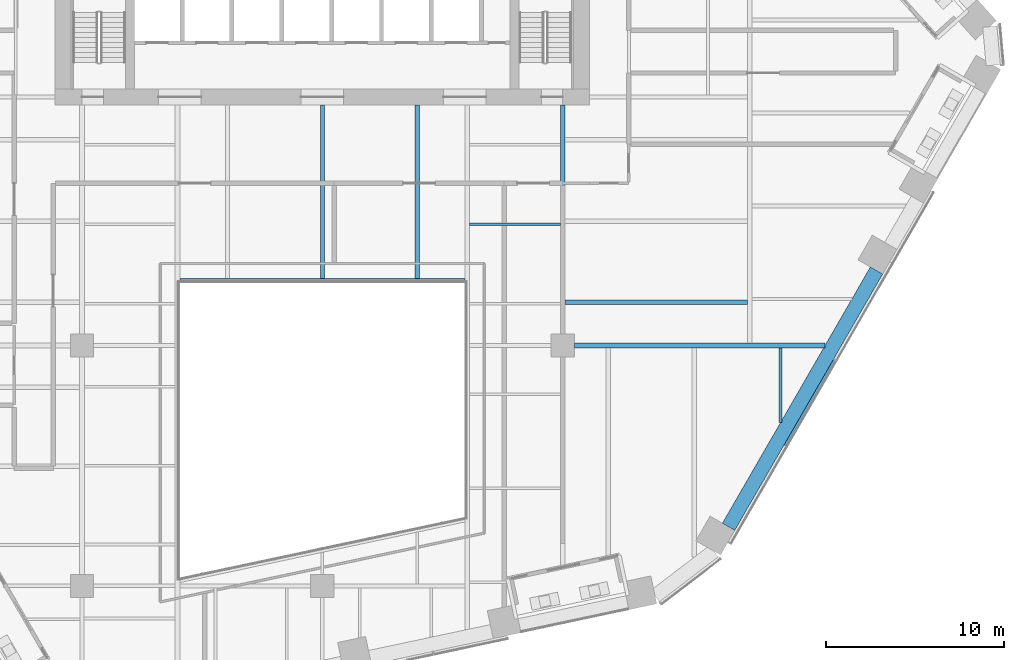
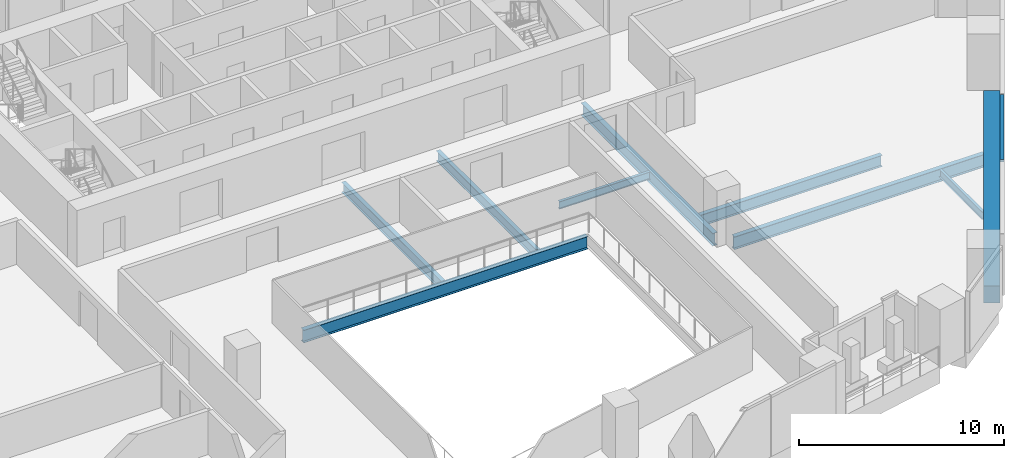
# One storey, part 8 of 31: 9 beams, 1 member, 1 element without a shape of its own.
"""IFC4 building model written with IfcOpenShell, lengths in metres."""

from ifc_helpers import new_model, si_unit, direction, frame, origin, origin_2d, place, context, subcontext, project, spatial, rectangle, i_section, extrude, material, layer, layer_set, material_profile, profile_set, type_object, element, aggregate, save


model = new_model("IFC4")

# Units and contexts
model_context = context("Model", 3, precision=1e-05, world=origin(), true_north=direction((0.0, 1.0)))
body_context = subcontext(model_context, "Body", "Model", "MODEL_VIEW")
ifc_project = project(units=[si_unit("LENGTHUNIT", "METRE"), si_unit("AREAUNIT", "SQUARE_METRE"), si_unit("VOLUMEUNIT", "CUBIC_METRE"), si_unit("PLANEANGLEUNIT", "RADIAN"), si_unit("MASSUNIT", "GRAM", prefix="KILO")], contexts=[model_context])

# Site, building, storey
site_placement = place(None, origin())
site = spatial("IfcSite", under=ifc_project, at=site_placement, CompositionType="ELEMENT")
building_placement = place(site_placement, origin())
building = spatial("IfcBuilding", under=site, at=building_placement, Name="Isthmus Gate Tower", CompositionType="ELEMENT")
storey_placement = place(building_placement, frame((0.0, 0.0, 113.5)))
storey = spatial("IfcBuildingStorey", under=building, at=storey_placement, Name="L27", CompositionType="ELEMENT", Elevation=113.5)

# Curtain wall, member
ifc_material_1 = material(Name="Aluminium, pale champagne anodised", Category="aluminium")
ifc_layer = layer(ifc_material_1, 0.199951171875)
ifc_layer_set = layer_set([ifc_layer], Name="CW-1 UNITISED CURTAIN WALL 200 DEEP")
curtain_wall_type = type_object("IfcCurtainWallType", Name="CW-1 UNITISED CURTAIN WALL 200 DEEP", PredefinedType="NOTDEFINED", material=ifc_layer_set)
curtain_wall_placement = place(storey_placement, origin())
curtain_wall = element("IfcCurtainWall", 1, at=curtain_wall_placement, inside=storey, type_object=curtain_wall_type, Name="CW-1 SE L27", PredefinedType="NOTDEFINED")
ifc_material_2 = material(Name="Aluminium, pale champagne anodised", Category="aluminium")
ifc_material_profile_1 = material_profile(ifc_material_2, rectangle(XDim=0.199951171875, YDim=0.14990234375, at=origin_2d()), Name="200x150")
ifc_profile_set_1 = profile_set([ifc_material_profile_1], Name="Aluminium, pale champagne anodised")
member_type = type_object("IfcMemberType", Name="CW-1 TRANSOM 200 X 150", PredefinedType="USERDEFINED", material=ifc_profile_set_1)
member_placement = place(storey_placement, frame((26.017822265625, -19.135986328125, 3.574951171875), z_axis=(0.499993363642, 0.866029235253, 0.0), x_axis=(-0.866029235253, 0.499993363642, 0.0)))
member = element("IfcMember", 2, at=member_placement, type_object=member_type, Name="CW-1 transom", ObjectType="TRANSOM", PredefinedType="USERDEFINED", context=body_context, shape_type="SweptSolid", body=[
    extrude(rectangle(XDim=0.199951171875, YDim=0.14990234375, at=origin_2d()), origin(), (0.0, 0.0, 1.0), 5.53857421875),
])
aggregate(curtain_wall, [member])

# Beams
ifc_material_3 = material(Name="Concrete f'c 70 MPa", Category="concrete")
ifc_material_profile_2 = material_profile(ifc_material_3, rectangle(XDim=0.800048828125, YDim=1.0, at=origin_2d()), Name="RC 800X1000")
ifc_profile_set_2 = profile_set([ifc_material_profile_2], Name="Concrete f'c 70 MPa")
beam_type_1 = type_object("IfcBeamType", Name="RC SPANDREL 800 X 1000", PredefinedType="SPANDREL", material=ifc_profile_set_2)
beam_1_placement = place(storey_placement, frame((31.123291015625, -9.292724609375, -0.5), z_axis=(-0.499999725976, -0.866025561992, 0.0), x_axis=(0.866025561992, -0.499999725976, 0.0)))
element("IfcBeam", 3, at=beam_1_placement, inside=storey, type_object=beam_type_1, Name="str-spandrel-L27-08", PredefinedType="SPANDREL", context=body_context, shape_type="SweptSolid", body=[
    extrude(rectangle(XDim=0.800048828125, YDim=1.0, at=origin_2d()), origin(), (0.0, 0.0, 1.0), 16.61572265625),
])
ifc_material_4 = material(Name="Structural steel ASTM A992 Gr 50", Category="steel")
ifc_material_profile_3 = material_profile(ifc_material_4, i_section(OverallWidth=0.15234375, OverallDepth=0.45068359375, WebThickness=0.0078125, FlangeThickness=0.010986328125, at=origin_2d()), Name="W18X35")
ifc_profile_set_3 = profile_set([ifc_material_profile_3], Name="Structural steel ASTM A992 Gr 50")
beam_type_2 = type_object("IfcBeamType", Name="STEEL FLOOR BEAM W18X35", PredefinedType="JOIST", material=ifc_profile_set_3)
beam_2_placement = place(storey_placement, frame((8.263427734375, -6.697509765625, -0.37548828125), z_axis=(1.0, 0.0, 0.0), x_axis=(0.0, 1.0, 0.0)))
element("IfcBeam", 4, at=beam_2_placement, inside=storey, type_object=beam_type_2, Name="str-beam-L27-27-01", PredefinedType="JOIST", context=body_context, shape_type="SweptSolid", body=[
    extrude(i_section(OverallWidth=0.15234375, OverallDepth=0.45068359375, WebThickness=0.0078125, FlangeThickness=0.010986328125, at=origin_2d()), origin(), (0.0, 0.0, 1.0), 5.104736328125),
])
beam_3_placement = place(storey_placement, frame((25.734130859375, -17.827392578125, -0.37548828125), z_axis=(0.0, 1.0, 0.0), x_axis=(-1.0, 0.0, 0.0)))
element("IfcBeam", 5, at=beam_3_placement, inside=storey, type_object=beam_type_2, Name="str-beam-L27-33-02", PredefinedType="JOIST", context=body_context, shape_type="SweptSolid", body=[
    extrude(i_section(OverallWidth=0.15234375, OverallDepth=0.45068359375, WebThickness=0.0078125, FlangeThickness=0.010986328125, at=origin_2d()), origin(), (0.0, 0.0, 1.0), 4.194091796875),
])
ifc_material_5 = material(Name="Structural steel ASTM A992 Gr 50", Category="steel")
ifc_material_profile_4 = material_profile(ifc_material_5, i_section(OverallWidth=0.228515625, OverallDepth=0.603271484375, WebThickness=0.010986328125, FlangeThickness=0.014404296875, at=origin_2d()), Name="W24X68")
ifc_profile_set_4 = profile_set([ifc_material_profile_4], Name="Structural steel ASTM A992 Gr 50")
beam_type_3 = type_object("IfcBeamType", Name="STEEL FLOOR BEAM W24X68", PredefinedType="JOIST", material=ifc_profile_set_4)
for number, where, z_axis, x_axis, name in (
    (6, (0.0, -9.7333984375, -0.45166015625), (0.0, 1.0, 0.0), (-1.0, 0.0, 0.0), "str-beam-L27-20-01"),
    (7, (5.333251953125, -9.7333984375, -0.45166015625), (0.0, 1.0, 0.0), (-1.0, 0.0, 0.0), "str-beam-L27-20-02"),
):
    element("IfcBeam", number, at=place(storey_placement, frame(where, z_axis=z_axis, x_axis=x_axis)), inside=storey, type_object=beam_type_3, Name=name, PredefinedType="JOIST", context=body_context, shape_type="SweptSolid", body=[
        extrude(i_section(OverallWidth=0.228515625, OverallDepth=0.603271484375, WebThickness=0.010986328125, FlangeThickness=0.014404296875, at=origin_2d()), origin(), (0.0, 0.0, 1.0), 9.7333984375),
    ])
ifc_material_6 = material(Name="Structural steel ASTM A992 Gr 50", Category="steel")
ifc_material_profile_5 = material_profile(ifc_material_6, i_section(OverallWidth=0.25390625, OverallDepth=0.679443359375, WebThickness=0.010986328125, FlangeThickness=0.015869140625, at=origin_2d()), Name="W27X84")
ifc_profile_set_5 = profile_set([ifc_material_profile_5], Name="Structural steel ASTM A992 Gr 50")
beam_type_4 = type_object("IfcBeamType", Name="STEEL FLOOR BEAM W27X84", PredefinedType="JOIST", material=ifc_profile_set_5)
beam_4_placement = place(storey_placement, frame((13.6318359375, -11.0830078125, -0.48974609375), z_axis=(1.0, 0.0, 0.0), x_axis=(0.0, 1.0, 0.0)))
element("IfcBeam", 8, at=beam_4_placement, inside=storey, type_object=beam_type_4, Name="str-beam-L27-31-00", PredefinedType="JOIST", context=body_context, shape_type="SweptSolid", body=[
    extrude(i_section(OverallWidth=0.25390625, OverallDepth=0.679443359375, WebThickness=0.010986328125, FlangeThickness=0.015869140625, at=origin_2d()), origin(), (0.0, 0.0, 1.0), 10.23486328125),
])
ifc_material_7 = material(Name="Structural steel ASTM A992 Gr 50", Category="steel")
ifc_material_profile_6 = material_profile(ifc_material_7, i_section(OverallWidth=0.2666015625, OverallDepth=0.7587890625, WebThickness=0.014404296875, FlangeThickness=0.01904296875, at=origin_2d()), Name="W30X108")
ifc_profile_set_6 = profile_set([ifc_material_profile_6], Name="Structural steel ASTM A992 Gr 50")
beam_type_5 = type_object("IfcBeamType", Name="STEEL GIRDER W30X108", PredefinedType="BEAM", material=ifc_profile_set_6)
beam_5_placement = place(storey_placement, frame((14.14990234375, -13.5, -0.529296875), z_axis=(1.0, 0.0, 0.0), x_axis=(0.0, 1.0, 0.0)))
element("IfcBeam", 9, at=beam_5_placement, inside=storey, type_object=beam_type_5, Name="str-girder-L27-08", PredefinedType="BEAM", context=body_context, shape_type="SweptSolid", body=[
    extrude(i_section(OverallWidth=0.2666015625, OverallDepth=0.7587890625, WebThickness=0.014404296875, FlangeThickness=0.01904296875, at=origin_2d()), origin(), (0.0, 0.0, 1.0), 14.08251953125),
])
ifc_material_8 = material(Name="Structural steel ASTM A992 Gr 50", Category="steel")
ifc_material_profile_7 = material_profile(ifc_material_8, i_section(OverallWidth=0.263427734375, OverallDepth=0.749267578125, WebThickness=0.0126953125, FlangeThickness=0.015869140625, at=origin_2d()), Name="W30X90")
ifc_profile_set_7 = profile_set([ifc_material_profile_7], Name="Structural steel ASTM A992 Gr 50")
beam_type_6 = type_object("IfcBeamType", Name="STEEL GIRDER W30X90", PredefinedType="BEAM", material=ifc_profile_set_7)
beam_6_placement = place(storey_placement, frame((13.5, -12.85009765625, -0.524658203125), z_axis=(0.0, 1.0, 0.0), x_axis=(-1.0, 0.0, 0.0)))
element("IfcBeam", 10, at=beam_6_placement, inside=storey, type_object=beam_type_6, Name="str-girder-L27-33", PredefinedType="BEAM", context=body_context, shape_type="SweptSolid", body=[
    extrude(i_section(OverallWidth=0.263427734375, OverallDepth=0.749267578125, WebThickness=0.0126953125, FlangeThickness=0.015869140625, at=origin_2d()), origin(), (0.0, 0.0, 1.0), 12.85009765625),
])
ifc_material_9 = material(Name="Structural steel ASTM A992 Gr 50", Category="steel")
ifc_material_profile_8 = material_profile(ifc_material_9, i_section(OverallWidth=0.2666015625, OverallDepth=0.7587890625, WebThickness=0.014404296875, FlangeThickness=0.01904296875, at=origin_2d()), Name="W30X108")
ifc_profile_set_8 = profile_set([ifc_material_profile_8], Name="Structural steel ASTM A992 Gr 50")
beam_type_7 = type_object("IfcBeamType", Name="STEEL TRIMMER W30X108", PredefinedType="BEAM", material=ifc_profile_set_8)
beam_7_placement = place(storey_placement, frame((8.0, -9.86669921875, -0.529296875), z_axis=(-1.0, 0.0, 0.0), x_axis=(0.0, -1.0, 0.0)))
element("IfcBeam", 11, at=beam_7_placement, inside=storey, type_object=beam_type_7, Name="str-trimmer-L27-04", PredefinedType="BEAM", context=body_context, shape_type="SweptSolid", body=[
    extrude(i_section(OverallWidth=0.2666015625, OverallDepth=0.7587890625, WebThickness=0.014404296875, FlangeThickness=0.01904296875, at=origin_2d()), origin(), (0.0, 0.0, 1.0), 16.0),
])

save(model, "model.ifc")
